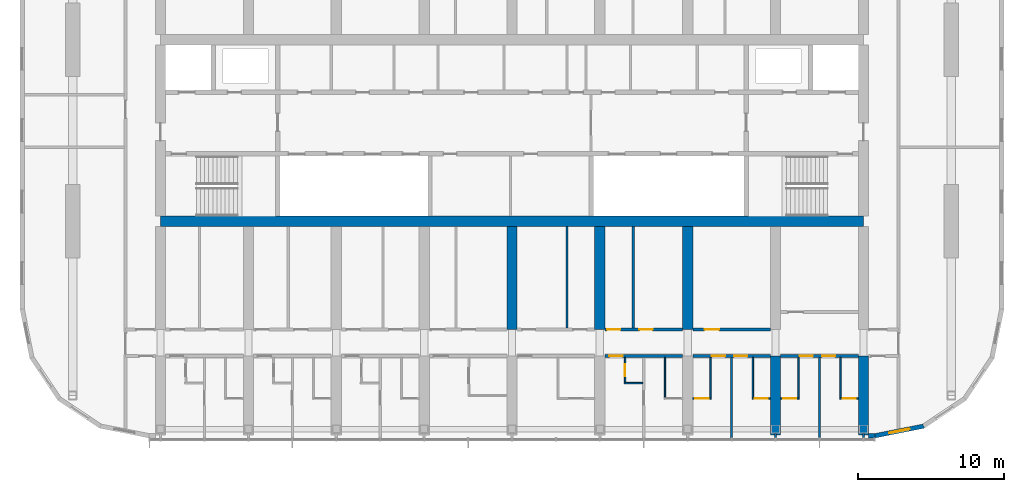
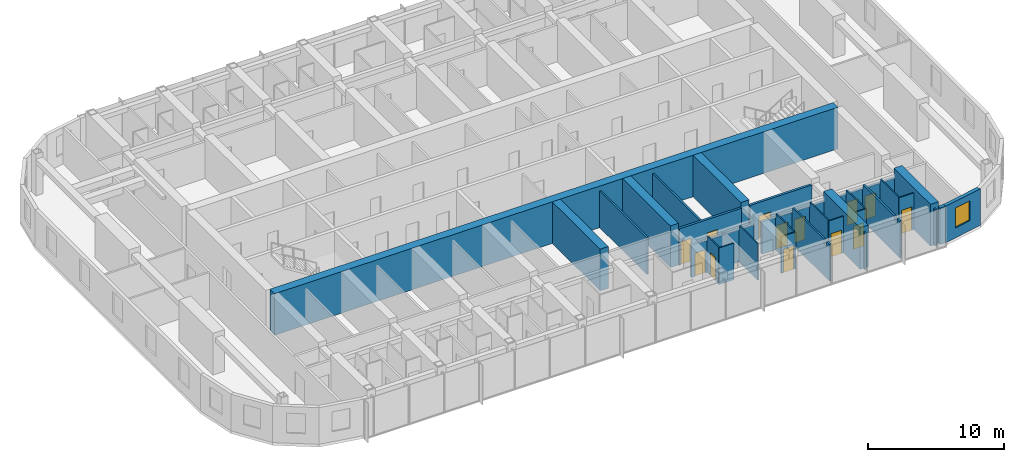
# One storey, part 13 of 24: 30 walls, 13 doors, 1 window, 14 openings.
"""IFC4 building model written with IfcOpenShell, lengths in metres."""

from ifc_helpers import new_model, si_unit, direction, frame, frame_2d, origin, place, context, subcontext, project, spatial, polyline, rectangle, outline, extrude, material, layer, layer_set, type_object, element, fill, save


model = new_model("IFC4")

# Units and contexts
model_context = context("Model", 3, precision=1e-05, world=origin(), true_north=direction((0.0, 1.0)))
body_context = subcontext(model_context, "Body", "Model", "MODEL_VIEW")
ifc_project = project(units=[si_unit("LENGTHUNIT", "METRE"), si_unit("AREAUNIT", "SQUARE_METRE"), si_unit("VOLUMEUNIT", "CUBIC_METRE"), si_unit("PLANEANGLEUNIT", "RADIAN"), si_unit("MASSUNIT", "GRAM", prefix="KILO")], contexts=[model_context])

# Site, building, storey
site_placement = place(None, origin())
site = spatial("IfcSite", under=ifc_project, at=site_placement, CompositionType="ELEMENT")
building_placement = place(site_placement, origin())
building = spatial("IfcBuilding", under=site, at=building_placement, Name="Orbita Commons", CompositionType="ELEMENT")
storey_placement = place(building_placement, frame((0.0, 0.0, 242.800048828125)))
storey = spatial("IfcBuildingStorey", under=building, at=storey_placement, Name="L60", CompositionType="ELEMENT", Elevation=242.800048828125)

# Wall
ifc_material_1 = material(Name="Concrete C50/60", Category="concrete")
ifc_layer_1 = layer(ifc_material_1, 0.699951171875)
ifc_layer_set_1 = layer_set([ifc_layer_1], Name="Concrete C50/60")
wall_type_1 = type_object("IfcWallType", Name="Core wall 700 C50/60", PredefinedType="SHEAR", material=ifc_layer_set_1)
wall_1_placement = place(storey_placement, frame((18.0, 25.800048828125, 0.0), z_axis=(0.0, 0.0, 1.0), x_axis=(1.0, 0.0, 0.0)))
element("IfcWall", 1, at=wall_1_placement, inside=storey, type_object=wall_type_1, Name="Core spine wall south L60", PredefinedType="SHEAR", context=body_context, shape_type="SweptSolid", body=[
    extrude(rectangle(XDim=48.0, YDim=0.699951171875, at=frame_2d((24.0, 0.0))), origin(), (0.0, 0.0, 1.0), 3.75),
])

# Wall, opening, door
ifc_material_2 = material(Name="Concrete blockwork", Category="masonry")
ifc_layer_2 = layer(ifc_material_2, 0.199951171875)
ifc_layer_set_2 = layer_set([ifc_layer_2], Name="Concrete blockwork")
wall_type_2 = type_object("IfcWallType", Name="Corridor wall 200 blockwork", PredefinedType="SOLIDWALL", material=ifc_layer_set_2)
wall_2_placement = place(storey_placement, frame((48.35009765625, 16.60009765625, 0.0), z_axis=(0.0, 0.0, 1.0), x_axis=(1.0, 0.0, 0.0)))
wall_2 = element("IfcWall", 2, at=wall_2_placement, inside=storey, type_object=wall_type_2, Name="Corridor wall 200 blockwork L60", PredefinedType="SOLIDWALL", context=body_context, shape_type="SweptSolid", body=[
    extrude(outline(polyline([(0.0, 0.0), (5.2998046875, 0.0), (5.300048828125, 2.89990234375), (0.0, 2.89990234375), (0.0, 0.0)])), frame((0.0, 0.10009765625, 0.0), z_axis=(0.0, -1.0, 0.0), x_axis=(1.0, 0.0, 0.0)), (0.0, 0.0, 1.0), 0.199951171875),
])
opening_1_placement = place(wall_2_placement, frame((0.300048828125, 0.0, 0.0)))
opening_1 = element("IfcOpeningElement", 3, at=opening_1_placement, cuts=wall_2, Name="Opening D11", PredefinedType="OPENING", context=body_context, shape_type="SweptSolid", body=[
    extrude(rectangle(XDim=0.89990234375, YDim=2.10009765625, at=frame_2d((0.449951171875, 1.050048828125))), frame((0.0, 0.10986328125, 0.0), z_axis=(0.0, -1.0, 0.0), x_axis=(1.0, 0.0, 0.0)), (0.0, 0.0, 1.0), 0.219970703125),
])
ifc_material_3 = material(Name="Steel-faced fire door leaf", Category="steel")
door_type_1 = type_object("IfcDoorType", Name="Corridor door 20 min 900x2100", OperationType="SINGLE_SWING_LEFT", PredefinedType="DOOR", material=ifc_material_3)
door_1_placement = place(opening_1_placement, origin())
door_1 = element("IfcDoor", 4, at=door_1_placement, inside=storey, type_object=door_type_1, Name="Guest suite sitting room and kitchenette L60-S10 entrance door", OperationType="SINGLE_SWING_LEFT", OverallHeight=2.10009765625, OverallWidth=0.89990234375, PredefinedType="DOOR", context=body_context, shape_type="SweptSolid", body=[
    extrude(rectangle(XDim=0.89990234375, YDim=2.10009765625, at=frame_2d((0.449951171875, 1.050048828125))), frame((0.0, 0.02490234375, 0.0), z_axis=(0.0, -1.0, 0.0), x_axis=(1.0, 0.0, 0.0)), (0.0, 0.0, 1.0), 0.050048828125),
])
fill(opening_1, door_1)

# Wall, openings, doors
wall_3_placement = place(storey_placement, frame((54.35009765625, 16.60009765625, 0.0), z_axis=(0.0, 0.0, 1.0), x_axis=(1.0, 0.0, 0.0)))
wall_3 = element("IfcWall", 5, at=wall_3_placement, inside=storey, type_object=wall_type_2, Name="Corridor wall 200 blockwork L60", PredefinedType="SOLIDWALL", context=body_context, shape_type="SweptSolid", body=[
    extrude(outline(polyline([(0.0, 0.0), (5.2998046875, 0.0), (5.300048828125, 2.89990234375), (0.0, 2.89990234375), (0.0, 0.0)])), frame((0.0, 0.10009765625, 0.0), z_axis=(0.0, -1.0, 0.0), x_axis=(1.0, 0.0, 0.0)), (0.0, 0.0, 1.0), 0.199951171875),
])
opening_2_placement = place(wall_3_placement, frame((1.300048828125, 0.0, 0.0)))
opening_2 = element("IfcOpeningElement", 6, at=opening_2_placement, cuts=wall_3, Name="Opening D11", PredefinedType="OPENING", context=body_context, shape_type="SweptSolid", body=[
    extrude(rectangle(XDim=0.89990234375, YDim=2.10009765625, at=frame_2d((0.449951171875, 1.050048828125))), frame((0.0, 0.10986328125, 0.0), z_axis=(0.0, -1.0, 0.0), x_axis=(1.0, 0.0, 0.0)), (0.0, 0.0, 1.0), 0.219970703125),
])
opening_3_placement = place(wall_3_placement, frame((2.824951171875, 0.0, 0.0)))
opening_3 = element("IfcOpeningElement", 7, at=opening_3_placement, cuts=wall_3, Name="Opening D11", PredefinedType="OPENING", context=body_context, shape_type="SweptSolid", body=[
    extrude(rectangle(XDim=0.89990234375, YDim=2.10009765625, at=frame_2d((0.449951171875, 1.050048828125))), frame((0.0, 0.10986328125, 0.0), z_axis=(0.0, -1.0, 0.0), x_axis=(1.0, 0.0, 0.0)), (0.0, 0.0, 1.0), 0.219970703125),
])
door_2_placement = place(opening_2_placement, origin())
door_2 = element("IfcDoor", 8, at=door_2_placement, inside=storey, type_object=door_type_1, Name="Cluster bedroom L60-S12 door", OperationType="SINGLE_SWING_LEFT", OverallHeight=2.10009765625, OverallWidth=0.89990234375, PredefinedType="DOOR", context=body_context, shape_type="SweptSolid", body=[
    extrude(rectangle(XDim=0.89990234375, YDim=2.10009765625, at=frame_2d((0.449951171875, 1.050048828125))), frame((0.0, 0.02490234375, 0.0), z_axis=(0.0, -1.0, 0.0), x_axis=(1.0, 0.0, 0.0)), (0.0, 0.0, 1.0), 0.050048828125),
])
fill(opening_2, door_2)
door_3_placement = place(opening_3_placement, origin())
door_3 = element("IfcDoor", 9, at=door_3_placement, inside=storey, type_object=door_type_1, Name="Cluster bedroom L60-S13 door", OperationType="SINGLE_SWING_LEFT", OverallHeight=2.10009765625, OverallWidth=0.89990234375, PredefinedType="DOOR", context=body_context, shape_type="SweptSolid", body=[
    extrude(rectangle(XDim=0.89990234375, YDim=2.10009765625, at=frame_2d((0.449951171875, 1.050048828125))), frame((0.0, 0.02490234375, 0.0), z_axis=(0.0, -1.0, 0.0), x_axis=(1.0, 0.0, 0.0)), (0.0, 0.0, 1.0), 0.050048828125),
])
fill(opening_3, door_3)

wall_4_placement = place(storey_placement, frame((60.35009765625, 16.60009765625, 0.0), z_axis=(0.0, 0.0, 1.0), x_axis=(1.0, 0.0, 0.0)))
wall_4 = element("IfcWall", 10, at=wall_4_placement, inside=storey, type_object=wall_type_2, Name="Corridor wall 200 blockwork L60", PredefinedType="SOLIDWALL", context=body_context, shape_type="SweptSolid", body=[
    extrude(outline(polyline([(0.0, 0.0), (5.2998046875, 0.0), (5.300048828125, 2.89990234375), (0.0, 2.89990234375), (0.0, 0.0)])), frame((0.0, 0.10009765625, 0.0), z_axis=(0.0, -1.0, 0.0), x_axis=(1.0, 0.0, 0.0)), (0.0, 0.0, 1.0), 0.199951171875),
])
opening_4_placement = place(wall_4_placement, frame((1.300048828125, 0.0, 0.0)))
opening_4 = element("IfcOpeningElement", 11, at=opening_4_placement, cuts=wall_4, Name="Opening D11", PredefinedType="OPENING", context=body_context, shape_type="SweptSolid", body=[
    extrude(rectangle(XDim=0.89990234375, YDim=2.10009765625, at=frame_2d((0.449951171875, 1.050048828125))), frame((0.0, 0.10986328125, 0.0), z_axis=(0.0, -1.0, 0.0), x_axis=(1.0, 0.0, 0.0)), (0.0, 0.0, 1.0), 0.219970703125),
])
opening_5_placement = place(wall_4_placement, frame((2.824951171875, 0.0, 0.0)))
opening_5 = element("IfcOpeningElement", 12, at=opening_5_placement, cuts=wall_4, Name="Opening D11", PredefinedType="OPENING", context=body_context, shape_type="SweptSolid", body=[
    extrude(rectangle(XDim=0.89990234375, YDim=2.10009765625, at=frame_2d((0.449951171875, 1.050048828125))), frame((0.0, 0.10986328125, 0.0), z_axis=(0.0, -1.0, 0.0), x_axis=(1.0, 0.0, 0.0)), (0.0, 0.0, 1.0), 0.219970703125),
])
door_4_placement = place(opening_4_placement, origin())
door_4 = element("IfcDoor", 13, at=door_4_placement, inside=storey, type_object=door_type_1, Name="Cluster bedroom L60-S14 door", OperationType="SINGLE_SWING_LEFT", OverallHeight=2.10009765625, OverallWidth=0.89990234375, PredefinedType="DOOR", context=body_context, shape_type="SweptSolid", body=[
    extrude(rectangle(XDim=0.89990234375, YDim=2.10009765625, at=frame_2d((0.449951171875, 1.050048828125))), frame((0.0, 0.02490234375, 0.0), z_axis=(0.0, -1.0, 0.0), x_axis=(1.0, 0.0, 0.0)), (0.0, 0.0, 1.0), 0.050048828125),
])
fill(opening_4, door_4)
door_5_placement = place(opening_5_placement, origin())
door_5 = element("IfcDoor", 14, at=door_5_placement, inside=storey, type_object=door_type_1, Name="Cluster bedroom L60-S15 door", OperationType="SINGLE_SWING_LEFT", OverallHeight=2.10009765625, OverallWidth=0.89990234375, PredefinedType="DOOR", context=body_context, shape_type="SweptSolid", body=[
    extrude(rectangle(XDim=0.89990234375, YDim=2.10009765625, at=frame_2d((0.449951171875, 1.050048828125))), frame((0.0, 0.02490234375, 0.0), z_axis=(0.0, -1.0, 0.0), x_axis=(1.0, 0.0, 0.0)), (0.0, 0.0, 1.0), 0.050048828125),
])
fill(opening_5, door_5)

ifc_material_4 = material(Name="Hollow concrete block 200", Category="concrete")
ifc_layer_3 = layer(ifc_material_4, 0.199951171875)
ifc_layer_set_3 = layer_set([ifc_layer_3], Name="Hollow concrete block 200")
wall_type_3 = type_object("IfcWallType", Name="Corridor wall 200 hollow concrete block", PredefinedType="SOLIDWALL", material=ifc_layer_set_3)
wall_5_placement = place(storey_placement, frame((48.35009765625, 18.39990234375, 0.0), z_axis=(0.0, 0.0, 1.0), x_axis=(1.0, 0.0, 0.0)))
wall_5 = element("IfcWall", 15, at=wall_5_placement, inside=storey, type_object=wall_type_3, Name="Corridor wall 200 hollow concrete block L60", PredefinedType="SOLIDWALL", context=body_context, shape_type="SweptSolid", body=[
    extrude(rectangle(XDim=5.2998046875, YDim=0.199951171875, at=frame_2d((2.64990234375, 0.0))), origin(), (0.0, 0.0, 1.0), 3.300048828125),
])
opening_6_placement = place(wall_5_placement, frame((0.14990234375, 0.0, 0.0)))
opening_6 = element("IfcOpeningElement", 16, at=opening_6_placement, cuts=wall_5, Name="Opening D11", PredefinedType="OPENING", context=body_context, shape_type="SweptSolid", body=[
    extrude(rectangle(XDim=0.89990234375, YDim=2.10009765625, at=frame_2d((0.449951171875, 1.050048828125))), frame((0.0, 0.10986328125, 0.0), z_axis=(0.0, -1.0, 0.0), x_axis=(1.0, 0.0, 0.0)), (0.0, 0.0, 1.0), 0.219970703125),
])
opening_7_placement = place(wall_5_placement, frame((2.35009765625, 0.0, 0.0)))
opening_7 = element("IfcOpeningElement", 17, at=opening_7_placement, cuts=wall_5, Name="Opening D11", PredefinedType="OPENING", context=body_context, shape_type="SweptSolid", body=[
    extrude(rectangle(XDim=0.89990234375, YDim=2.10009765625, at=frame_2d((0.449951171875, 1.050048828125))), frame((0.0, 0.10986328125, 0.0), z_axis=(0.0, -1.0, 0.0), x_axis=(1.0, 0.0, 0.0)), (0.0, 0.0, 1.0), 0.219970703125),
])
door_6_placement = place(opening_6_placement, origin())
door_6 = element("IfcDoor", 18, at=door_6_placement, inside=storey, type_object=door_type_1, Name="Sprinkler valve room L60-BDS48n door", OperationType="SINGLE_SWING_LEFT", OverallHeight=2.10009765625, OverallWidth=0.89990234375, PredefinedType="DOOR", context=body_context, shape_type="SweptSolid", body=[
    extrude(rectangle(XDim=0.89990234375, YDim=2.10009765625, at=frame_2d((0.449951171875, 1.050048828125))), frame((0.0, 0.02490234375, 0.0), z_axis=(0.0, -1.0, 0.0), x_axis=(1.0, 0.0, 0.0)), (0.0, 0.0, 1.0), 0.050048828125),
])
fill(opening_6, door_6)
door_7_placement = place(opening_7_placement, origin())
door_7 = element("IfcDoor", 19, at=door_7_placement, inside=storey, type_object=door_type_1, Name="Print and copy room L60-BDS48 door", OperationType="SINGLE_SWING_LEFT", OverallHeight=2.10009765625, OverallWidth=0.89990234375, PredefinedType="DOOR", context=body_context, shape_type="SweptSolid", body=[
    extrude(rectangle(XDim=0.89990234375, YDim=2.10009765625, at=frame_2d((0.449951171875, 1.050048828125))), frame((0.0, 0.02490234375, 0.0), z_axis=(0.0, -1.0, 0.0), x_axis=(1.0, 0.0, 0.0)), (0.0, 0.0, 1.0), 0.050048828125),
])
fill(opening_7, door_7)

# Wall, opening, door
wall_6_placement = place(storey_placement, frame((54.35009765625, 18.39990234375, 0.0), z_axis=(0.0, 0.0, 1.0), x_axis=(1.0, 0.0, 0.0)))
wall_6 = element("IfcWall", 20, at=wall_6_placement, inside=storey, type_object=wall_type_3, Name="Corridor wall 200 hollow concrete block L60", PredefinedType="SOLIDWALL", context=body_context, shape_type="SweptSolid", body=[
    extrude(rectangle(XDim=5.2998046875, YDim=0.199951171875, at=frame_2d((2.64990234375, 0.0))), origin(), (0.0, 0.0, 1.0), 3.300048828125),
])
opening_8_placement = place(wall_6_placement, frame((0.800048828125, 0.0, 0.0)))
opening_8 = element("IfcOpeningElement", 21, at=opening_8_placement, cuts=wall_6, Name="Opening D06", PredefinedType="OPENING", context=body_context, shape_type="SweptSolid", body=[
    extrude(rectangle(XDim=1.0, YDim=2.10009765625, at=frame_2d((0.5, 1.050048828125))), frame((0.0, 0.10986328125, 0.0), z_axis=(0.0, -1.0, 0.0), x_axis=(1.0, 0.0, 0.0)), (0.0, 0.0, 1.0), 0.219970703125),
])
ifc_material_5 = material(Name="Steel-faced fire door leaf", Category="steel")
door_type_2 = type_object("IfcDoorType", Name="Corridor door 20 min 1000x2100", OperationType="SINGLE_SWING_LEFT", PredefinedType="DOOR", material=ifc_material_5)
door_8_placement = place(opening_8_placement, origin())
door_8 = element("IfcDoor", 22, at=door_8_placement, inside=storey, type_object=door_type_2, Name="Cleaners store L60-BDS54 door", OperationType="SINGLE_SWING_LEFT", OverallHeight=2.10009765625, OverallWidth=1.0, PredefinedType="DOOR", context=body_context, shape_type="SweptSolid", body=[
    extrude(rectangle(XDim=1.0, YDim=2.10009765625, at=frame_2d((0.5, 1.050048828125))), frame((0.0, 0.02490234375, 0.0), z_axis=(0.0, -1.0, 0.0), x_axis=(1.0, 0.0, 0.0)), (0.0, 0.0, 1.0), 0.050048828125),
])
fill(opening_8, door_8)

# Walls
ifc_material_6 = material(Name="Concrete C50/60", Category="concrete")
ifc_layer_4 = layer(ifc_material_6, 0.699951171875)
ifc_layer_set_4 = layer_set([ifc_layer_4], Name="Concrete C50/60")
wall_type_4 = type_object("IfcWallType", Name="Cross wall 700 C50/60", PredefinedType="SHEAR", material=ifc_layer_set_4)
for number, where, z_axis, x_axis, name in (
    (23, (42.0, 18.39990234375, 0.0), (0.0, 0.0, 1.0), (0.0, 1.0, 0.0), "Cross wall 8 south inner L60"),
    (24, (48.0, 18.39990234375, 0.0), (0.0, 0.0, 1.0), (0.0, 1.0, 0.0), "Cross wall 9 south inner L60"),
    (25, (54.0, 18.39990234375, 0.0), (0.0, 0.0, 1.0), (0.0, 1.0, 0.0), "Cross wall 10 south inner L60"),
):
    element("IfcWall", number, at=place(storey_placement, frame(where, z_axis=z_axis, x_axis=x_axis)), inside=storey, type_object=wall_type_4, Name=name, PredefinedType="SHEAR", context=body_context, shape_type="SweptSolid", body=[
        extrude(rectangle(XDim=7.050048828125, YDim=0.699951171875, at=frame_2d((3.52490234375, 0.0))), origin(), (0.0, 0.0, 1.0), 3.75),
    ])
for number, where, z_axis, x_axis, name in (
    (26, (60.0, 11.199951171875, 0.0), (0.0, 0.0, 1.0), (0.0, 1.0, 0.0), "Cross wall 11 south outer L60"),
    (27, (66.0, 11.199951171875, 0.0), (0.0, 0.0, 1.0), (0.0, 1.0, 0.0), "Cross wall 12 south outer L60"),
):
    element("IfcWall", number, at=place(storey_placement, frame(where, z_axis=z_axis, x_axis=x_axis)), inside=storey, type_object=wall_type_4, Name=name, PredefinedType="SHEAR", context=body_context, shape_type="SweptSolid", body=[
        extrude(rectangle(XDim=5.400146484375, YDim=0.699951171875, at=frame_2d((2.7001953125, 0.0))), origin(), (0.0, 0.0, 1.0), 3.75),
    ])
ifc_material_7 = material(Name="Moisture-resistant plasterboard on steel studs", Category="steel")
ifc_layer_5 = layer(ifc_material_7, 0.10009765625)
ifc_layer_set_5 = layer_set([ifc_layer_5], Name="Moisture-resistant plasterboard on steel studs")
wall_type_5 = type_object("IfcWallType", Name="En-suite partition 100", PredefinedType="PARTITIONING", material=ifc_layer_set_5)
wall_7_placement = place(storey_placement, frame((52.449951171875, 13.75, 0.0), z_axis=(0.0, 0.0, 1.0), x_axis=(0.0, 1.0, 0.0)))
element("IfcWall", 28, at=wall_7_placement, inside=storey, type_object=wall_type_5, Name="En-suite partition 100 L60", PredefinedType="PARTITIONING", context=body_context, shape_type="SweptSolid", body=[
    extrude(outline(polyline([(0.0, 0.0), (2.75, 0.0), (2.75, 2.89990234375), (2.701904296875, 2.89990234375), (2.699951171875, 3.300048828125), (0.0, 3.300048828125), (0.0, 0.0)])), frame((0.0, 0.050048828125, 0.0), z_axis=(0.0, -1.0, 0.0), x_axis=(1.0, 0.0, 0.0)), (0.0, 0.0, 1.0), 0.10009765625),
])
wall_8_placement = place(storey_placement, frame((49.64990234375, 14.75, 0.0), z_axis=(0.0, 0.0, 1.0), x_axis=(1.0, 0.0, 0.0)))
element("IfcWall", 29, at=wall_8_placement, inside=storey, type_object=wall_type_5, Name="En-suite partition 100 L60", PredefinedType="PARTITIONING", context=body_context, shape_type="SweptSolid", body=[
    extrude(rectangle(XDim=1.275146484375, YDim=0.10009765625, at=frame_2d((0.6376953125, 0.0))), origin(), (0.0, 0.0, 1.0), 3.300048828125),
])

# Wall, opening, door
wall_9_placement = place(storey_placement, frame((49.72509765625, 14.75, 0.0), z_axis=(0.0, 0.0, 1.0), x_axis=(0.0, 1.0, 0.0)))
wall_9 = element("IfcWall", 30, at=wall_9_placement, inside=storey, type_object=wall_type_5, Name="En-suite partition 100 L60", PredefinedType="PARTITIONING", context=body_context, shape_type="SweptSolid", body=[
    extrude(outline(polyline([(0.0, 0.0), (1.75, 0.0), (1.75, 2.89990234375), (1.701904296875, 2.89990234375), (1.699951171875, 3.300048828125), (0.0, 3.300048828125), (0.0, 0.0)])), frame((0.0, 0.050048828125, 0.0), z_axis=(0.0, -1.0, 0.0), x_axis=(1.0, 0.0, 0.0)), (0.0, 0.0, 1.0), 0.10009765625),
])
opening_9_placement = place(wall_9_placement, frame((0.47509765625, 0.0, 0.0)))
opening_9 = element("IfcOpeningElement", 31, at=opening_9_placement, cuts=wall_9, Name="Opening D16", PredefinedType="OPENING", context=body_context, shape_type="SweptSolid", body=[
    extrude(rectangle(XDim=0.800048828125, YDim=2.10009765625, at=frame_2d((0.39990234375, 1.050048828125))), frame((0.0, 0.06005859375, 0.0), z_axis=(0.0, -1.0, 0.0), x_axis=(1.0, 0.0, 0.0)), (0.0, 0.0, 1.0), 0.1201171875),
])
ifc_material_8 = material(Name="Laminated timber door leaf", Category="wood")
door_type_3 = type_object("IfcDoorType", Name="En-suite door 800x2100", OperationType="SINGLE_SWING_RIGHT", PredefinedType="DOOR", material=ifc_material_8)
door_9_placement = place(opening_9_placement, origin())
door_9 = element("IfcDoor", 32, at=door_9_placement, inside=storey, type_object=door_type_3, Name="Guest suite WC L60-S10 door", OperationType="SINGLE_SWING_RIGHT", OverallHeight=2.10009765625, OverallWidth=0.800048828125, PredefinedType="DOOR", context=body_context, shape_type="SweptSolid", body=[
    extrude(rectangle(XDim=0.800048828125, YDim=2.10009765625, at=frame_2d((0.39990234375, 1.050048828125))), frame((0.0, 0.02490234375, 0.0), z_axis=(0.0, -1.0, 0.0), x_axis=(1.0, 0.0, 0.0)), (0.0, 0.0, 1.0), 0.050048828125),
])
fill(opening_9, door_9)

wall_10_placement = place(storey_placement, frame((55.60009765625, 13.699951171875, 0.0), z_axis=(0.0, 0.0, 1.0), x_axis=(-1.0, 0.0, 0.0)))
wall_10 = element("IfcWall", 33, at=wall_10_placement, inside=storey, type_object=wall_type_5, Name="En-suite partition 100 L60", PredefinedType="PARTITIONING", context=body_context, shape_type="SweptSolid", body=[
    extrude(rectangle(XDim=1.25, YDim=0.10009765625, at=frame_2d((0.625, 0.0))), origin(), (0.0, 0.0, 1.0), 3.300048828125),
])
opening_10_placement = place(wall_10_placement, frame((0.175048828125, 0.0, 0.0)))
opening_10 = element("IfcOpeningElement", 34, at=opening_10_placement, cuts=wall_10, Name="Opening D09", PredefinedType="OPENING", context=body_context, shape_type="SweptSolid", body=[
    extrude(rectangle(XDim=0.89990234375, YDim=2.10009765625, at=frame_2d((0.449951171875, 1.050048828125))), frame((0.0, 0.06005859375, 0.0), z_axis=(0.0, -1.0, 0.0), x_axis=(1.0, 0.0, 0.0)), (0.0, 0.0, 1.0), 0.1201171875),
])
ifc_material_9 = material(Name="Laminated timber door leaf", Category="wood")
door_type_4 = type_object("IfcDoorType", Name="En-suite door 900x2100", OperationType="SINGLE_SWING_RIGHT", PredefinedType="DOOR", material=ifc_material_9)
door_10_placement = place(opening_10_placement, origin())
door_10 = element("IfcDoor", 35, at=door_10_placement, inside=storey, type_object=door_type_4, Name="En-suite L60-S12 door", OperationType="SINGLE_SWING_RIGHT", OverallHeight=2.10009765625, OverallWidth=0.89990234375, PredefinedType="DOOR", context=body_context, shape_type="SweptSolid", body=[
    extrude(rectangle(XDim=0.89990234375, YDim=2.10009765625, at=frame_2d((0.449951171875, 1.050048828125))), frame((0.0, 0.02490234375, 0.0), z_axis=(0.0, -1.0, 0.0), x_axis=(1.0, 0.0, 0.0)), (0.0, 0.0, 1.0), 0.050048828125),
])
fill(opening_10, door_10)

# Wall
wall_11_placement = place(storey_placement, frame((55.550048828125, 13.75, 0.0), z_axis=(0.0, 0.0, 1.0), x_axis=(0.0, 1.0, 0.0)))
element("IfcWall", 36, at=wall_11_placement, inside=storey, type_object=wall_type_5, Name="En-suite partition 100 L60", PredefinedType="PARTITIONING", context=body_context, shape_type="SweptSolid", body=[
    extrude(outline(polyline([(0.0, 0.0), (2.75, 0.0), (2.75, 2.89990234375), (2.701904296875, 2.89990234375), (2.699951171875, 3.300048828125), (0.0, 3.300048828125), (0.0, 0.0)])), frame((0.0, 0.050048828125, 0.0), z_axis=(0.0, -1.0, 0.0), x_axis=(1.0, 0.0, 0.0)), (0.0, 0.0, 1.0), 0.10009765625),
])

# Wall, opening, door
wall_12_placement = place(storey_placement, frame((59.64990234375, 13.699951171875, 0.0), z_axis=(0.0, 0.0, 1.0), x_axis=(-1.0, 0.0, 0.0)))
wall_12 = element("IfcWall", 37, at=wall_12_placement, inside=storey, type_object=wall_type_5, Name="En-suite partition 100 L60", PredefinedType="PARTITIONING", context=body_context, shape_type="SweptSolid", body=[
    extrude(rectangle(XDim=1.25, YDim=0.10009765625, at=frame_2d((0.625, 0.0))), origin(), (0.0, 0.0, 1.0), 3.300048828125),
])
opening_11_placement = place(wall_12_placement, frame((0.175048828125, 0.0, 0.0)))
opening_11 = element("IfcOpeningElement", 38, at=opening_11_placement, cuts=wall_12, Name="Opening D09", PredefinedType="OPENING", context=body_context, shape_type="SweptSolid", body=[
    extrude(rectangle(XDim=0.89990234375, YDim=2.10009765625, at=frame_2d((0.449951171875, 1.050048828125))), frame((0.0, 0.06005859375, 0.0), z_axis=(0.0, -1.0, 0.0), x_axis=(1.0, 0.0, 0.0)), (0.0, 0.0, 1.0), 0.1201171875),
])
door_11_placement = place(opening_11_placement, origin())
door_11 = element("IfcDoor", 39, at=door_11_placement, inside=storey, type_object=door_type_4, Name="En-suite L60-S13 door", OperationType="SINGLE_SWING_RIGHT", OverallHeight=2.10009765625, OverallWidth=0.89990234375, PredefinedType="DOOR", context=body_context, shape_type="SweptSolid", body=[
    extrude(rectangle(XDim=0.89990234375, YDim=2.10009765625, at=frame_2d((0.449951171875, 1.050048828125))), frame((0.0, 0.02490234375, 0.0), z_axis=(0.0, -1.0, 0.0), x_axis=(1.0, 0.0, 0.0)), (0.0, 0.0, 1.0), 0.050048828125),
])
fill(opening_11, door_11)

# Wall
wall_13_placement = place(storey_placement, frame((58.449951171875, 13.75, 0.0), z_axis=(0.0, 0.0, 1.0), x_axis=(0.0, 1.0, 0.0)))
element("IfcWall", 40, at=wall_13_placement, inside=storey, type_object=wall_type_5, Name="En-suite partition 100 L60", PredefinedType="PARTITIONING", context=body_context, shape_type="SweptSolid", body=[
    extrude(outline(polyline([(0.0, 0.0), (2.75, 0.0), (2.75, 2.89990234375), (2.701904296875, 2.89990234375), (2.699951171875, 3.300048828125), (0.0, 3.300048828125), (0.0, 0.0)])), frame((0.0, 0.050048828125, 0.0), z_axis=(0.0, -1.0, 0.0), x_axis=(1.0, 0.0, 0.0)), (0.0, 0.0, 1.0), 0.10009765625),
])

# Wall, opening, door
wall_14_placement = place(storey_placement, frame((61.60009765625, 13.699951171875, 0.0), z_axis=(0.0, 0.0, 1.0), x_axis=(-1.0, 0.0, 0.0)))
wall_14 = element("IfcWall", 41, at=wall_14_placement, inside=storey, type_object=wall_type_5, Name="En-suite partition 100 L60", PredefinedType="PARTITIONING", context=body_context, shape_type="SweptSolid", body=[
    extrude(rectangle(XDim=1.25, YDim=0.10009765625, at=frame_2d((0.625, 0.0))), origin(), (0.0, 0.0, 1.0), 3.300048828125),
])
opening_12_placement = place(wall_14_placement, frame((0.175048828125, 0.0, 0.0)))
opening_12 = element("IfcOpeningElement", 42, at=opening_12_placement, cuts=wall_14, Name="Opening D09", PredefinedType="OPENING", context=body_context, shape_type="SweptSolid", body=[
    extrude(rectangle(XDim=0.89990234375, YDim=2.10009765625, at=frame_2d((0.449951171875, 1.050048828125))), frame((0.0, 0.06005859375, 0.0), z_axis=(0.0, -1.0, 0.0), x_axis=(1.0, 0.0, 0.0)), (0.0, 0.0, 1.0), 0.1201171875),
])
door_12_placement = place(opening_12_placement, origin())
door_12 = element("IfcDoor", 43, at=door_12_placement, inside=storey, type_object=door_type_4, Name="En-suite L60-S14 door", OperationType="SINGLE_SWING_RIGHT", OverallHeight=2.10009765625, OverallWidth=0.89990234375, PredefinedType="DOOR", context=body_context, shape_type="SweptSolid", body=[
    extrude(rectangle(XDim=0.89990234375, YDim=2.10009765625, at=frame_2d((0.449951171875, 1.050048828125))), frame((0.0, 0.02490234375, 0.0), z_axis=(0.0, -1.0, 0.0), x_axis=(1.0, 0.0, 0.0)), (0.0, 0.0, 1.0), 0.050048828125),
])
fill(opening_12, door_12)

# Wall
wall_15_placement = place(storey_placement, frame((61.550048828125, 13.75, 0.0), z_axis=(0.0, 0.0, 1.0), x_axis=(0.0, 1.0, 0.0)))
element("IfcWall", 44, at=wall_15_placement, inside=storey, type_object=wall_type_5, Name="En-suite partition 100 L60", PredefinedType="PARTITIONING", context=body_context, shape_type="SweptSolid", body=[
    extrude(outline(polyline([(0.0, 0.0), (2.75, 0.0), (2.75, 2.89990234375), (2.701904296875, 2.89990234375), (2.699951171875, 3.300048828125), (0.0, 3.300048828125), (0.0, 0.0)])), frame((0.0, 0.050048828125, 0.0), z_axis=(0.0, -1.0, 0.0), x_axis=(1.0, 0.0, 0.0)), (0.0, 0.0, 1.0), 0.10009765625),
])

# Wall, opening, door
wall_16_placement = place(storey_placement, frame((65.64990234375, 13.699951171875, 0.0), z_axis=(0.0, 0.0, 1.0), x_axis=(-1.0, 0.0, 0.0)))
wall_16 = element("IfcWall", 45, at=wall_16_placement, inside=storey, type_object=wall_type_5, Name="En-suite partition 100 L60", PredefinedType="PARTITIONING", context=body_context, shape_type="SweptSolid", body=[
    extrude(rectangle(XDim=1.25, YDim=0.10009765625, at=frame_2d((0.625, 0.0))), origin(), (0.0, 0.0, 1.0), 3.300048828125),
])
opening_13_placement = place(wall_16_placement, frame((0.175048828125, 0.0, 0.0)))
opening_13 = element("IfcOpeningElement", 46, at=opening_13_placement, cuts=wall_16, Name="Opening D09", PredefinedType="OPENING", context=body_context, shape_type="SweptSolid", body=[
    extrude(rectangle(XDim=0.89990234375, YDim=2.10009765625, at=frame_2d((0.449951171875, 1.050048828125))), frame((0.0, 0.06005859375, 0.0), z_axis=(0.0, -1.0, 0.0), x_axis=(1.0, 0.0, 0.0)), (0.0, 0.0, 1.0), 0.1201171875),
])
door_13_placement = place(opening_13_placement, origin())
door_13 = element("IfcDoor", 47, at=door_13_placement, inside=storey, type_object=door_type_4, Name="En-suite L60-S15 door", OperationType="SINGLE_SWING_RIGHT", OverallHeight=2.10009765625, OverallWidth=0.89990234375, PredefinedType="DOOR", context=body_context, shape_type="SweptSolid", body=[
    extrude(rectangle(XDim=0.89990234375, YDim=2.10009765625, at=frame_2d((0.449951171875, 1.050048828125))), frame((0.0, 0.02490234375, 0.0), z_axis=(0.0, -1.0, 0.0), x_axis=(1.0, 0.0, 0.0)), (0.0, 0.0, 1.0), 0.050048828125),
])
fill(opening_13, door_13)

# Walls
wall_17_placement = place(storey_placement, frame((64.449951171875, 13.75, 0.0), z_axis=(0.0, 0.0, 1.0), x_axis=(0.0, 1.0, 0.0)))
element("IfcWall", 48, at=wall_17_placement, inside=storey, type_object=wall_type_5, Name="En-suite partition 100 L60", PredefinedType="PARTITIONING", context=body_context, shape_type="SweptSolid", body=[
    extrude(outline(polyline([(0.0, 0.0), (2.75, 0.0), (2.75, 2.89990234375), (2.701904296875, 2.89990234375), (2.699951171875, 3.300048828125), (0.0, 3.300048828125), (0.0, 0.0)])), frame((0.0, 0.050048828125, 0.0), z_axis=(0.0, -1.0, 0.0), x_axis=(1.0, 0.0, 0.0)), (0.0, 0.0, 1.0), 0.10009765625),
])
ifc_material_10 = material(Name="Gypsum plasterboard on steel studs", Category="steel")
ifc_layer_6 = layer(ifc_material_10, 0.14990234375)
ifc_layer_set_6 = layer_set([ifc_layer_6], Name="Gypsum plasterboard on steel studs")
wall_type_6 = type_object("IfcWallType", Name="Partition 150 plasterboard", PredefinedType="PARTITIONING", material=ifc_layer_set_6)
for number, where, z_axis, x_axis, name in (
    (49, (45.764892578125, 18.5, 0.0), (0.0, 0.0, 1.0), (0.0, 1.0, 0.0), "Partition 150 plasterboard L60"),
    (50, (50.27490234375, 18.5, 0.0), (0.0, 0.0, 1.0), (0.0, 1.0, 0.0), "Partition 150 plasterboard L60"),
):
    element("IfcWall", number, at=place(storey_placement, frame(where, z_axis=z_axis, x_axis=x_axis)), inside=storey, type_object=wall_type_6, Name=name, PredefinedType="PARTITIONING", context=body_context, shape_type="SweptSolid", body=[
        extrude(rectangle(XDim=6.949951171875, YDim=0.14990234375, at=frame_2d((3.47509765625, 0.0))), origin(), (0.0, 0.0, 1.0), 3.300048828125),
    ])
for number, where, z_axis, x_axis, name in (
    (51, (60.0, 11.300048828125, 0.0), (0.0, 0.0, 1.0), (0.0, -1.0, 0.0), "Partition 150 plasterboard L60"),
    (52, (66.0, 11.300048828125, 0.0), (0.0, 0.0, 1.0), (0.0, -1.0, 0.0), "Partition 150 plasterboard L60"),
):
    element("IfcWall", number, at=place(storey_placement, frame(where, z_axis=z_axis, x_axis=x_axis)), inside=storey, type_object=wall_type_6, Name=name, PredefinedType="PARTITIONING", context=body_context, shape_type="SweptSolid", body=[
        extrude(rectangle(XDim=0.2900390625, YDim=0.14990234375, at=frame_2d((0.14501953125, 0.0))), origin(), (0.0, 0.0, 1.0), 3.300048828125),
    ])
ifc_material_11 = material(Name="Gypsum plasterboard on steel studs", Category="steel")
ifc_layer_7 = layer(ifc_material_11, 0.14990234375)
ifc_layer_set_7 = layer_set([ifc_layer_7], Name="Gypsum plasterboard on steel studs")
wall_type_7 = type_object("IfcWallType", Name="Party wall 150 plasterboard", PredefinedType="PARTITIONING", material=ifc_layer_set_7)
for number, where, z_axis, x_axis, name in (
    (53, (57.0, 11.010009765625, 0.0), (0.0, 0.0, 1.0), (0.0, 1.0, 0.0), "Party wall 150 plasterboard L60"),
    (54, (63.0, 11.010009765625, 0.0), (0.0, 0.0, 1.0), (0.0, 1.0, 0.0), "Party wall 150 plasterboard L60"),
):
    element("IfcWall", number, at=place(storey_placement, frame(where, z_axis=z_axis, x_axis=x_axis)), inside=storey, type_object=wall_type_7, Name=name, PredefinedType="PARTITIONING", context=body_context, shape_type="SweptSolid", body=[
        extrude(outline(polyline([(0.0, 0.0), (5.489990234375, 0.0), (5.489990234375, 2.89990234375), (5.44189453125, 2.89990234375), (5.43994140625, 3.300048828125), (0.7919921875, 3.300048828125), (0.7900390625, 2.89990234375), (0.39208984375, 2.89990234375), (0.389892578125, 3.300048828125), (0.0, 3.300048828125), (0.0, 0.0)])), frame((0.0, 0.074951171875, 0.0), z_axis=(0.0, -1.0, 0.0), x_axis=(1.0, 0.0, 0.0)), (0.0, 0.0, 1.0), 0.14990234375),
    ])

# Wall, opening, window
ifc_material_12 = material(Name="Precast concrete C40/50, white board-marked finish", Category="concrete")
ifc_layer_8 = layer(ifc_material_12, 0.300048828125)
ifc_layer_set_8 = layer_set([ifc_layer_8], Name="Precast concrete C40/50, white board-marked finish")
wall_type_8 = type_object("IfcWallType", Name="Precast concrete end shield 300", PredefinedType="SOLIDWALL", material=ifc_layer_set_8)
wall_18_placement = place(storey_placement, frame((66.800048828125, 11.14990234375, 0.0), z_axis=(0.0, 0.0, 1.0), x_axis=(0.98078325777, 0.195100490205, 0.0)))
wall_18 = element("IfcWall", 55, at=wall_18_placement, inside=storey, type_object=wall_type_8, Name="End shield SE chord 1 L60", PredefinedType="SOLIDWALL", context=body_context, shape_type="SweptSolid", body=[
    extrude(outline(polyline([(-0.02978515625, -0.14990234375), (3.40478515625, -0.14990234375), (3.34521484375, 0.14990234375), (0.02978515625, 0.14990234375), (-0.02978515625, -0.14990234375)])), origin(), (0.0, 0.0, 1.0), 3.300048828125),
])
opening_14_placement = place(wall_18_placement, frame((0.987548828125, 0.0, 0.89990234375)))
opening_14 = element("IfcOpeningElement", 56, at=opening_14_placement, cuts=wall_18, Name="Opening W02", PredefinedType="OPENING", context=body_context, shape_type="SweptSolid", body=[
    extrude(rectangle(XDim=1.39990234375, YDim=1.800048828125, at=frame_2d((0.699951171875, 0.89990234375))), frame((0.0, 0.159912109375, 0.0), z_axis=(0.0, -1.0, 0.0), x_axis=(1.0, 0.0, 0.0)), (0.0, 0.0, 1.0), 0.320068359375),
])
ifc_material_13 = material(Name="Aluminium frame, clear double glazing", Category="aluminium")
window_type = type_object("IfcWindowType", Name="Deep-set window 1400x1800", PartitioningType="SINGLE_PANEL", PredefinedType="WINDOW", material=ifc_material_13)
window_placement = place(opening_14_placement, origin())
window = element("IfcWindow", 57, at=window_placement, inside=storey, type_object=window_type, Name="Window L60-SE0", OverallHeight=1.800048828125, OverallWidth=1.39990234375, PartitioningType="SINGLE_PANEL", PredefinedType="WINDOW", context=body_context, shape_type="SweptSolid", body=[
    extrude(rectangle(XDim=1.39990234375, YDim=1.800048828125, at=frame_2d((0.699951171875, 0.89990234375))), frame((0.0, 0.030029296875, 0.0), z_axis=(0.0, -1.0, 0.0), x_axis=(1.0, 0.0, 0.0)), (0.0, 0.0, 1.0), 0.06005859375),
])
fill(opening_14, window)

# Wall
wall_19_placement = place(storey_placement, frame((66.800048828125, 11.14990234375, 0.0), z_axis=(0.0, 0.0, 1.0), x_axis=(-1.0, 0.0, 0.0)))
element("IfcWall", 58, at=wall_19_placement, inside=storey, type_object=wall_type_8, Name="End shield SE closer L60", PredefinedType="SOLIDWALL", context=body_context, shape_type="SweptSolid", body=[
    extrude(rectangle(XDim=0.449951171875, YDim=0.300048828125, at=frame_2d((0.22509765625, 0.0))), origin(), (0.0, 0.0, 1.0), 3.300048828125),
])

save(model, "model.ifc")
